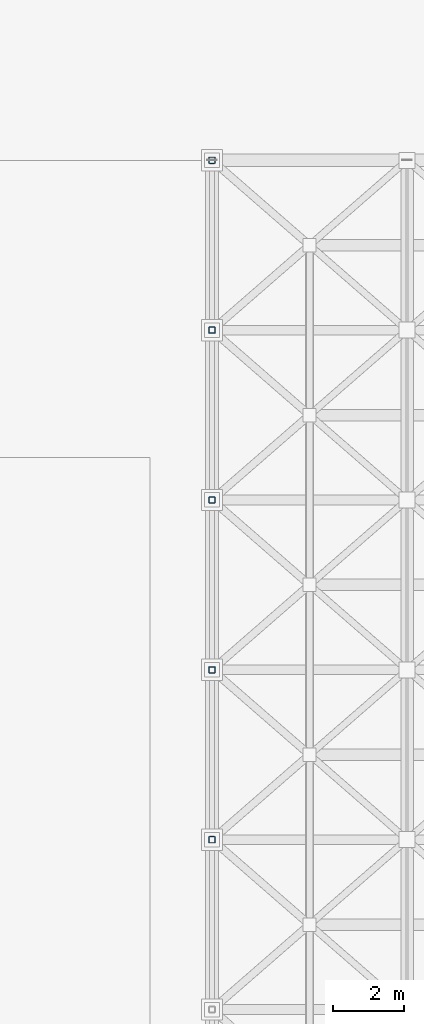
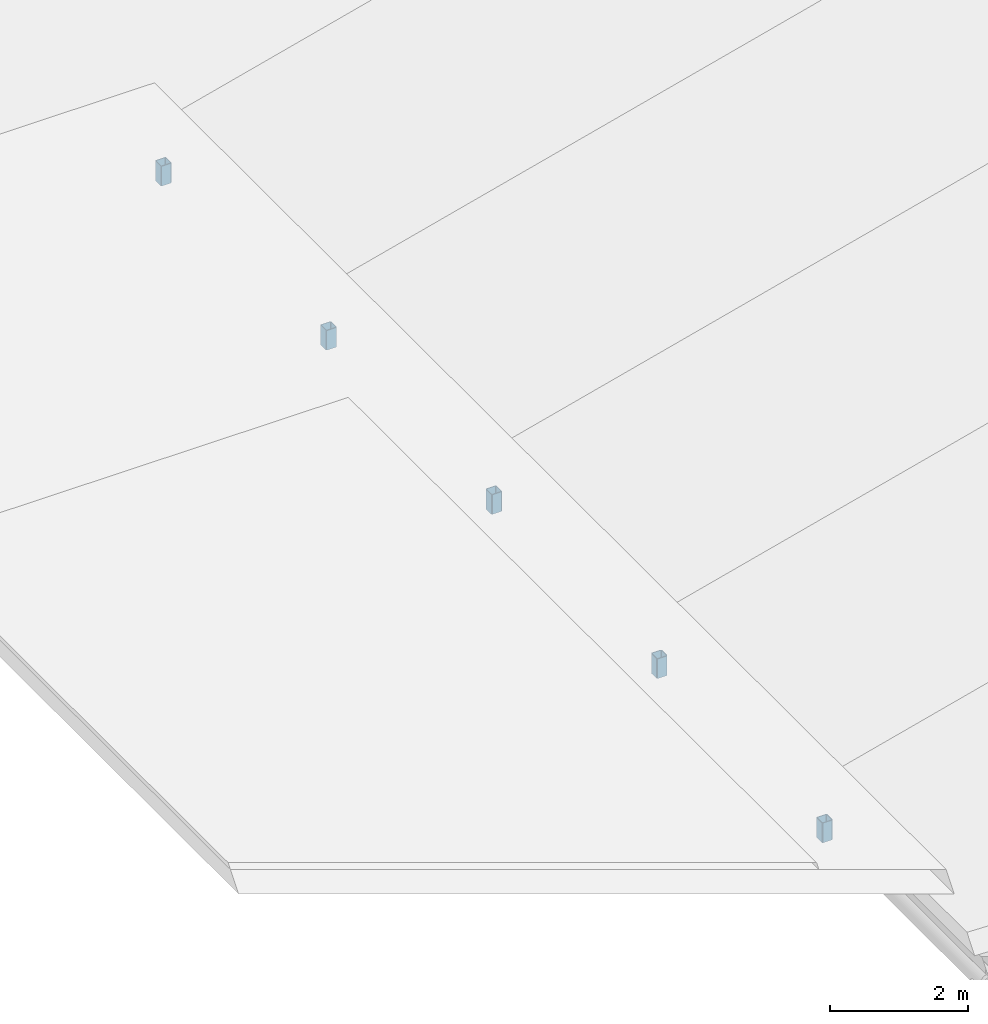
# One storey, part 38 of 60: 5 members.
"""IFC4 building model written with IfcOpenShell, lengths in metres."""

from ifc_helpers import new_model, si_unit, direction, frame, origin, origin_2d, place, context, subcontext, project, spatial, hollow_rectangle, extrude, material, material_profile, profile_set, type_object, element, save


model = new_model("IFC4")

# Units and contexts
model_context = context("Model", 3, precision=1e-05, world=origin(), true_north=direction((0.0, 1.0)))
body_context = subcontext(model_context, "Body", "Model", "MODEL_VIEW")
ifc_project = project(units=[si_unit("LENGTHUNIT", "METRE"), si_unit("AREAUNIT", "SQUARE_METRE"), si_unit("VOLUMEUNIT", "CUBIC_METRE"), si_unit("PLANEANGLEUNIT", "RADIAN"), si_unit("MASSUNIT", "GRAM", prefix="KILO")], contexts=[model_context])

# Site, building, storey
site_placement = place(None, origin())
site = spatial("IfcSite", under=ifc_project, at=site_placement, CompositionType="ELEMENT")
building_placement = place(site_placement, origin())
building = spatial("IfcBuilding", under=site, at=building_placement, Name="Nakhvara Creek Congress Hotel", CompositionType="ELEMENT")
storey_placement = place(building_placement, frame((0.0, 0.0, 54.60009765625)))
storey = spatial("IfcBuildingStorey", under=building, at=storey_placement, Name="RL1", CompositionType="ELEMENT", Elevation=54.60009765625)

# Members
ifc_material = material(Name="Steel S355J2H", Category="steel")
ifc_material_profile = material_profile(ifc_material, hollow_rectangle(XDim=0.179931640625, YDim=0.179931640625, WallThickness=0.010009765625, InnerFilletRadius=0.010009765625, OuterFilletRadius=0.02001953125, at=origin_2d()), Name="SHS 180x180x10.0", Category="LoadBearing")
ifc_profile_set = profile_set([ifc_material_profile], Name="Steel S355J2H")
member_type = type_object("IfcMemberType", Name="MEM-STR-SHS180", PredefinedType="STRUT", material=ifc_profile_set)
for number, where, z_axis, x_axis, name in (
    (1, (9.14990234375, 67.199951171875, -35.400146484375), (0.0, 0.0, 1.0), (1.0, 0.0, 0.0), "Congress Roof Truss Bearing Strut 064"),
    (2, (9.14990234375, 72.0, -35.400146484375), (0.0, 0.0, 1.0), (1.0, 0.0, 0.0), "Congress Roof Truss Bearing Strut 073"),
    (3, (9.14990234375, 76.800048828125, -35.400146484375), (0.0, 0.0, 1.0), (1.0, 0.0, 0.0), "Congress Roof Truss Bearing Strut 082"),
    (4, (9.14990234375, 81.60009765625, -35.400146484375), (0.0, 0.0, 1.0), (1.0, 0.0, 0.0), "Congress Roof Truss Bearing Strut 091"),
    (5, (9.14990234375, 86.39990234375, -35.400146484375), (0.0, 0.0, 1.0), (1.0, 0.0, 0.0), "Congress Roof Truss Bearing Strut 100"),
):
    element("IfcMember", number, at=place(storey_placement, frame(where, z_axis=z_axis, x_axis=x_axis)), inside=storey, type_object=member_type, Name=name, PredefinedType="STRUT", context=body_context, shape_type="SweptSolid", body=[
        extrude(hollow_rectangle(XDim=0.179931640625, YDim=0.179931640625, WallThickness=0.010009765625, InnerFilletRadius=0.010009765625, OuterFilletRadius=0.02001953125, at=origin_2d()), origin(), (0.0, 0.0, 1.0), 0.35009765625),
    ])

save(model, "model.ifc")
